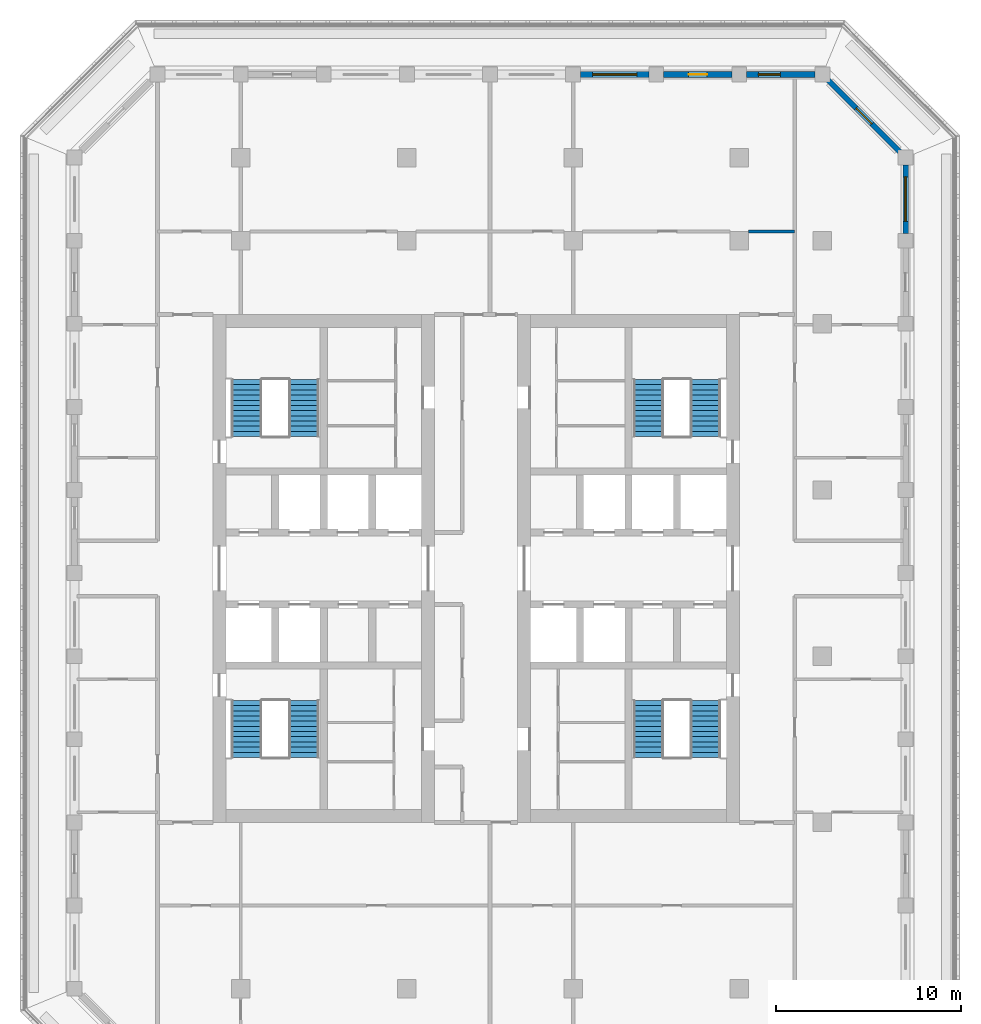
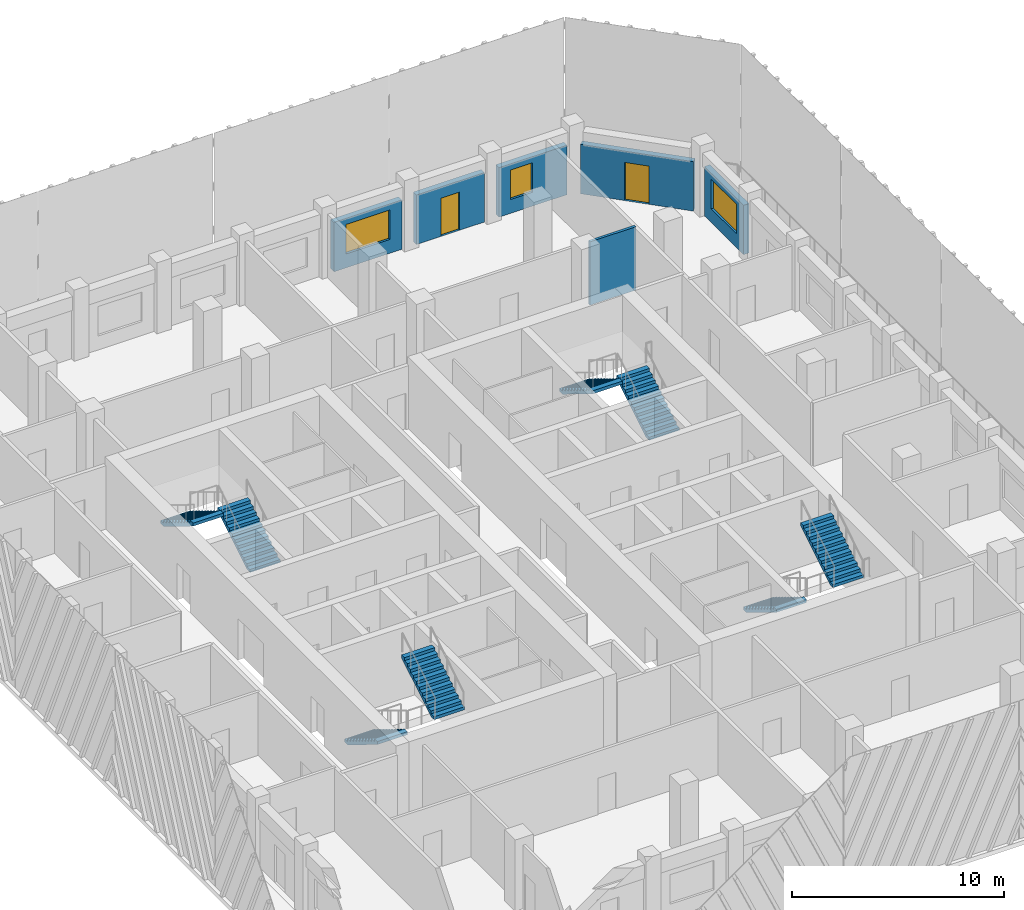
# One storey, part 8 of 17: 8 stair flights, 6 walls, 3 windows, 2 doors, 5 openings, 4 elements without a shape of their own.
"""IFC4 building model written with IfcOpenShell, lengths in metres."""

from ifc_helpers import new_model, si_unit, direction, frame, frame_2d, origin, place, context, subcontext, project, spatial, polyline, rectangle, outline, extrude, material, layer, layer_set, type_object, element, fill, aggregate, save


model = new_model("IFC4")

# Units and contexts
model_context = context("Model", 3, precision=1e-05, world=origin(), true_north=direction((0.0, 1.0)))
body_context = subcontext(model_context, "Body", "Model", "MODEL_VIEW")
ifc_project = project(units=[si_unit("LENGTHUNIT", "METRE"), si_unit("AREAUNIT", "SQUARE_METRE"), si_unit("VOLUMEUNIT", "CUBIC_METRE"), si_unit("PLANEANGLEUNIT", "RADIAN"), si_unit("MASSUNIT", "GRAM", prefix="KILO")], contexts=[model_context])

# Site, building, storey
site_placement = place(None, origin())
site = spatial("IfcSite", under=ifc_project, at=site_placement, CompositionType="ELEMENT")
building_placement = place(site_placement, origin())
building = spatial("IfcBuilding", under=site, at=building_placement, Name="Corbel Stack Research Tower", CompositionType="ELEMENT")
storey_placement = place(building_placement, frame((0.0, 0.0, 248.0)))
storey = spatial("IfcBuildingStorey", under=building, at=storey_placement, Name="L56", CompositionType="ELEMENT", Elevation=248.0)

# Wall
ifc_material_1 = material(Name="Gypsum board partition on steel studs", Category="steel")
ifc_layer_1 = layer(ifc_material_1, 0.14990234375)
ifc_layer_set_1 = layer_set([ifc_layer_1], Name="Gypsum board partition on steel studs")
wall_type_1 = type_object("IfcWallType", Name="Partition 150", PredefinedType="PARTITIONING", material=ifc_layer_set_1)
wall_1_placement = place(storey_placement, frame((18.5, 23.0, 0.0), z_axis=(0.0, 0.0, 1.0), x_axis=(1.0, 0.0, 0.0)))
element("IfcWall", 1, at=wall_1_placement, inside=storey, type_object=wall_type_1, Name="Partition L56-049", PredefinedType="PARTITIONING", context=body_context, shape_type="SweptSolid", body=[
    extrude(rectangle(XDim=2.5, YDim=0.14990234375, at=frame_2d((1.25, 0.0))), origin(), (0.0, 0.0, 1.0), 3.64990234375),
])

# Wall, opening, window
ifc_material_2 = material(Name="Concrete C45/55", Category="concrete")
ifc_layer_2 = layer(ifc_material_2, 0.300048828125)
ifc_layer_set_2 = layer_set([ifc_layer_2], Name="Concrete C45/55")
wall_type_2 = type_object("IfcWallType", Name="Terracotta-faced concrete wall 300", PredefinedType="SOLIDWALL", material=ifc_layer_set_2)
wall_2_placement = place(storey_placement, frame((27.0, 26.60009765625, 0.0), z_axis=(0.0, 0.0, 1.0), x_axis=(0.0, -1.0, 0.0)))
wall_2 = element("IfcWall", 2, at=wall_2_placement, inside=storey, type_object=wall_type_2, Name="Facade wall L56 E10", PredefinedType="SOLIDWALL", context=body_context, shape_type="SweptSolid", body=[
    extrude(rectangle(XDim=3.7001953125, YDim=0.300048828125, at=frame_2d((1.85009765625, 0.0))), origin(), (0.0, 0.0, 1.0), 2.85009765625),
])
opening_1_placement = place(wall_2_placement, frame((0.64990234375, 0.0, 0.800048828125)))
opening_1 = element("IfcOpeningElement", 3, at=opening_1_placement, cuts=wall_2, Name="Opening W1", PredefinedType="OPENING", context=body_context, shape_type="SweptSolid", body=[
    extrude(rectangle(XDim=2.39990234375, YDim=1.699951171875, at=frame_2d((1.199951171875, 0.85009765625))), frame((0.0, 0.159912109375, 0.0), z_axis=(0.0, -1.0, 0.0), x_axis=(1.0, 0.0, 0.0)), (0.0, 0.0, 1.0), 0.320068359375),
])
ifc_material_3 = material(Name="Aluminium frame, clear double glazing", Category="aluminium")
window_type_1 = type_object("IfcWindowType", Name="Window W1 2400 x 1700", PartitioningType="SINGLE_PANEL", PredefinedType="WINDOW", material=ifc_material_3)
window_1_placement = place(opening_1_placement, origin())
window_1 = element("IfcWindow", 4, at=window_1_placement, inside=storey, type_object=window_type_1, Name="Window W1 L56 E10", OverallHeight=1.699951171875, OverallWidth=2.39990234375, PartitioningType="SINGLE_PANEL", PredefinedType="WINDOW", context=body_context, shape_type="SweptSolid", body=[
    extrude(rectangle(XDim=2.39990234375, YDim=1.699951171875, at=frame_2d((1.199951171875, 0.85009765625))), frame((0.0, 0.030029296875, 0.0), z_axis=(0.0, -1.0, 0.0), x_axis=(1.0, 0.0, 0.0)), (0.0, 0.0, 1.0), 0.06005859375),
])
fill(opening_1, window_1)

# Wall, opening, door
wall_3_placement = place(storey_placement, frame((22.7939453125, 31.2060546875, 0.0), z_axis=(0.0, 0.0, 1.0), x_axis=(0.707106781187, -0.707106781187, 0.0)))
wall_3 = element("IfcWall", 5, at=wall_3_placement, inside=storey, type_object=wall_type_2, Name="Facade wall L56 NE01", PredefinedType="SOLIDWALL", context=body_context, shape_type="SweptSolid", body=[
    extrude(rectangle(XDim=5.532470703125, YDim=0.300048828125, at=frame_2d((2.76611328125, 0.0))), origin(), (0.0, 0.0, 1.0), 2.85009765625),
])
opening_2_placement = place(wall_3_placement, frame((2.166259765625, 0.0, 0.0)))
opening_2 = element("IfcOpeningElement", 6, at=opening_2_placement, cuts=wall_3, Name="Opening L56-B06", PredefinedType="OPENING", context=body_context, shape_type="SweptSolid", body=[
    extrude(rectangle(XDim=1.199951171875, YDim=2.199951171875, at=frame_2d((0.60009765625, 1.10009765625))), frame((0.0, 0.159912109375, 0.0), z_axis=(0.0, -1.0, 0.0), x_axis=(1.0, 0.0, 0.0)), (0.0, 0.0, 1.0), 0.320068359375),
])
ifc_material_4 = material(Name="Aluminium frame, clear double glazing", Category="aluminium")
door_type_1 = type_object("IfcDoorType", Name="Balcony door BD2 1200 x 2200", OperationType="NOTDEFINED", PredefinedType="DOOR", material=ifc_material_4)
door_1_placement = place(opening_2_placement, origin())
door_1 = element("IfcDoor", 7, at=door_1_placement, inside=storey, type_object=door_type_1, Name="Balcony door L56-B06", OperationType="SINGLE_SWING_LEFT", OverallHeight=2.199951171875, OverallWidth=1.199951171875, PredefinedType="DOOR", context=body_context, shape_type="SweptSolid", body=[
    extrude(rectangle(XDim=1.199951171875, YDim=2.199951171875, at=frame_2d((0.60009765625, 1.10009765625))), frame((0.0, 0.02490234375, 0.0), z_axis=(0.0, -1.0, 0.0), x_axis=(1.0, 0.0, 0.0)), (0.0, 0.0, 1.0), 0.050048828125),
])
fill(opening_2, door_1)

# Wall, opening, window
wall_4_placement = place(storey_placement, frame((18.39990234375, 31.5, 0.0), z_axis=(0.0, 0.0, 1.0), x_axis=(1.0, 0.0, 0.0)))
wall_4 = element("IfcWall", 8, at=wall_4_placement, inside=storey, type_object=wall_type_2, Name="Facade wall L56 N01", PredefinedType="SOLIDWALL", context=body_context, shape_type="SweptSolid", body=[
    extrude(rectangle(XDim=3.7001953125, YDim=0.300048828125, at=frame_2d((1.85009765625, 0.0))), origin(), (0.0, 0.0, 1.0), 2.85009765625),
])
opening_3_placement = place(wall_4_placement, frame((0.625, 0.0, 0.800048828125)))
opening_3 = element("IfcOpeningElement", 9, at=opening_3_placement, cuts=wall_4, Name="Opening W2", PredefinedType="OPENING", context=body_context, shape_type="SweptSolid", body=[
    extrude(rectangle(XDim=1.199951171875, YDim=1.699951171875, at=frame_2d((0.60009765625, 0.85009765625))), frame((0.0, 0.159912109375, 0.0), z_axis=(0.0, -1.0, 0.0), x_axis=(1.0, 0.0, 0.0)), (0.0, 0.0, 1.0), 0.320068359375),
])
ifc_material_5 = material(Name="Aluminium frame, clear double glazing", Category="aluminium")
window_type_2 = type_object("IfcWindowType", Name="Window W2 1200 x 1700", PartitioningType="SINGLE_PANEL", PredefinedType="WINDOW", material=ifc_material_5)
window_2_placement = place(opening_3_placement, origin())
window_2 = element("IfcWindow", 10, at=window_2_placement, inside=storey, type_object=window_type_2, Name="Window W2 L56 N01", OverallHeight=1.699951171875, OverallWidth=1.199951171875, PartitioningType="SINGLE_PANEL", PredefinedType="WINDOW", context=body_context, shape_type="SweptSolid", body=[
    extrude(rectangle(XDim=1.199951171875, YDim=1.699951171875, at=frame_2d((0.60009765625, 0.85009765625))), frame((0.0, 0.030029296875, 0.0), z_axis=(0.0, -1.0, 0.0), x_axis=(1.0, 0.0, 0.0)), (0.0, 0.0, 1.0), 0.06005859375),
])
fill(opening_3, window_2)

# Wall, opening, door
wall_5_placement = place(storey_placement, frame((13.89990234375, 31.5, 0.0), z_axis=(0.0, 0.0, 1.0), x_axis=(1.0, 0.0, 0.0)))
wall_5 = element("IfcWall", 11, at=wall_5_placement, inside=storey, type_object=wall_type_2, Name="Facade wall L56 N02", PredefinedType="SOLIDWALL", context=body_context, shape_type="SweptSolid", body=[
    extrude(rectangle(XDim=3.7001953125, YDim=0.300048828125, at=frame_2d((1.85009765625, 0.0))), origin(), (0.0, 0.0, 1.0), 2.85009765625),
])
opening_4_placement = place(wall_5_placement, frame((1.35009765625, 0.0, 0.0)))
opening_4 = element("IfcOpeningElement", 12, at=opening_4_placement, cuts=wall_5, Name="Opening L56-B07", PredefinedType="OPENING", context=body_context, shape_type="SweptSolid", body=[
    extrude(rectangle(XDim=1.0, YDim=2.199951171875, at=frame_2d((0.5, 1.10009765625))), frame((0.0, 0.159912109375, 0.0), z_axis=(0.0, -1.0, 0.0), x_axis=(1.0, 0.0, 0.0)), (0.0, 0.0, 1.0), 0.320068359375),
])
ifc_material_6 = material(Name="Aluminium frame, clear double glazing", Category="aluminium")
door_type_2 = type_object("IfcDoorType", Name="Balcony door BD1 1000 x 2200", OperationType="NOTDEFINED", PredefinedType="DOOR", material=ifc_material_6)
door_2_placement = place(opening_4_placement, origin())
door_2 = element("IfcDoor", 13, at=door_2_placement, inside=storey, type_object=door_type_2, Name="Balcony door L56-B07", OperationType="SINGLE_SWING_RIGHT", OverallHeight=2.199951171875, OverallWidth=1.0, PredefinedType="DOOR", context=body_context, shape_type="SweptSolid", body=[
    extrude(rectangle(XDim=1.0, YDim=2.199951171875, at=frame_2d((0.5, 1.10009765625))), frame((0.0, 0.02490234375, 0.0), z_axis=(0.0, -1.0, 0.0), x_axis=(1.0, 0.0, 0.0)), (0.0, 0.0, 1.0), 0.050048828125),
])
fill(opening_4, door_2)

# Wall, opening, window
wall_6_placement = place(storey_placement, frame((9.39990234375, 31.5, 0.0), z_axis=(0.0, 0.0, 1.0), x_axis=(1.0, 0.0, 0.0)))
wall_6 = element("IfcWall", 14, at=wall_6_placement, inside=storey, type_object=wall_type_2, Name="Facade wall L56 N03", PredefinedType="SOLIDWALL", context=body_context, shape_type="SweptSolid", body=[
    extrude(rectangle(XDim=3.7001953125, YDim=0.300048828125, at=frame_2d((1.85009765625, 0.0))), origin(), (0.0, 0.0, 1.0), 2.85009765625),
])
opening_5_placement = place(wall_6_placement, frame((0.64990234375, 0.0, 0.800048828125)))
opening_5 = element("IfcOpeningElement", 15, at=opening_5_placement, cuts=wall_6, Name="Opening W1", PredefinedType="OPENING", context=body_context, shape_type="SweptSolid", body=[
    extrude(rectangle(XDim=2.39990234375, YDim=1.699951171875, at=frame_2d((1.199951171875, 0.85009765625))), frame((0.0, 0.159912109375, 0.0), z_axis=(0.0, -1.0, 0.0), x_axis=(1.0, 0.0, 0.0)), (0.0, 0.0, 1.0), 0.320068359375),
])
window_3_placement = place(opening_5_placement, origin())
window_3 = element("IfcWindow", 16, at=window_3_placement, inside=storey, type_object=window_type_1, Name="Window W1 L56 N03", OverallHeight=1.699951171875, OverallWidth=2.39990234375, PartitioningType="SINGLE_PANEL", PredefinedType="WINDOW", context=body_context, shape_type="SweptSolid", body=[
    extrude(rectangle(XDim=2.39990234375, YDim=1.699951171875, at=frame_2d((1.199951171875, 0.85009765625))), frame((0.0, 0.030029296875, 0.0), z_axis=(0.0, -1.0, 0.0), x_axis=(1.0, 0.0, 0.0)), (0.0, 0.0, 1.0), 0.06005859375),
])
fill(opening_5, window_3)

# Stair, stair flights
ifc_material_7 = material(Name="Concrete C40/50", Category="concrete")
stair_type = type_object("IfcStairType", Name="Exit stair 24 risers", PredefinedType="HALF_TURN_STAIR", material=ifc_material_7)
stair_1_placement = place(storey_placement, origin())
stair_1 = element("IfcStair", 17, at=stair_1_placement, inside=storey, type_object=stair_type, Name="L56 Exit stair ST-W1", PredefinedType="HALF_TURN_STAIR")
ifc_material_8 = material(Name="Concrete C40/50", Category="concrete")
stair_flight_type = type_object("IfcStairFlightType", Name="Stair flight 12 risers", PredefinedType="STRAIGHT", material=ifc_material_8)
stair_flight_1_placement = place(storey_placement, frame((-8.675048828125, -2.39990234375, 0.0), z_axis=(0.0, 0.0, 1.0), x_axis=(0.0, -1.0, 0.0)))
stair_flight_1 = element("IfcStairFlight", 18, at=stair_flight_1_placement, type_object=stair_flight_type, Name="ST-W1 flight 1", NumberOfRisers=12, NumberOfTreads=11, PredefinedType="STRAIGHT", RiserHeight=0.170833333, TreadLength=0.28, context=body_context, shape_type="SweptSolid", body=[
    extrude(outline(polyline([(0.0, 0.0), (0.0, 0.1708984375), (0.280029296875, 0.1708984375), (0.280029296875, 0.341552734375), (0.56005859375, 0.341552734375), (0.56005859375, 0.512451171875), (0.840087890625, 0.512451171875), (0.840087890625, 0.683349609375), (1.1201171875, 0.683349609375), (1.1201171875, 0.854248046875), (1.39990234375, 0.854248046875), (1.39990234375, 1.02490234375), (1.679931640625, 1.02490234375), (1.679931640625, 1.19580078125), (1.9599609375, 1.19580078125), (1.9599609375, 1.36669921875), (2.239990234375, 1.36669921875), (2.239990234375, 1.53759765625), (2.52001953125, 1.53759765625), (2.52001953125, 1.708251953125), (2.800048828125, 1.708251953125), (2.800048828125, 1.879150390625), (3.080078125, 1.879150390625), (3.080078125, 2.050048828125), (3.080078125, 1.70361328125), (0.287841796875, 0.0), (0.0, 0.0)])), frame((0.0, 0.824951171875, 0.0), z_axis=(0.0, -1.0, 0.0), x_axis=(1.0, 0.0, 0.0)), (0.0, 0.0, 1.0), 1.64990234375),
])
stair_flight_2_placement = place(storey_placement, frame((-5.574951171875, -5.47998046875, 2.050048828125), z_axis=(0.0, 0.0, 1.0), x_axis=(0.0, 1.0, 0.0)))
stair_flight_2 = element("IfcStairFlight", 19, at=stair_flight_2_placement, type_object=stair_flight_type, Name="ST-W1 flight 2", NumberOfRisers=12, NumberOfTreads=11, PredefinedType="STRAIGHT", RiserHeight=0.170833333, TreadLength=0.28, context=body_context, shape_type="SweptSolid", body=[
    extrude(outline(polyline([(0.0, 0.0), (0.0, 0.1708984375), (0.280029296875, 0.1708984375), (0.280029296875, 0.341552734375), (0.56005859375, 0.341552734375), (0.56005859375, 0.512451171875), (0.840087890625, 0.512451171875), (0.840087890625, 0.683349609375), (1.1201171875, 0.683349609375), (1.1201171875, 0.854248046875), (1.39990234375, 0.854248046875), (1.39990234375, 1.02490234375), (1.679931640625, 1.02490234375), (1.679931640625, 1.19580078125), (1.9599609375, 1.19580078125), (1.9599609375, 1.36669921875), (2.239990234375, 1.36669921875), (2.239990234375, 1.53759765625), (2.52001953125, 1.53759765625), (2.52001953125, 1.708251953125), (2.800048828125, 1.708251953125), (2.800048828125, 1.879150390625), (3.080078125, 1.879150390625), (3.080078125, 2.050048828125), (3.080078125, 1.70361328125), (0.287841796875, 0.0), (0.0, 0.0)])), frame((0.0, 0.824951171875, 0.0), z_axis=(0.0, -1.0, 0.0), x_axis=(1.0, 0.0, 0.0)), (0.0, 0.0, 1.0), 1.64990234375),
])
aggregate(stair_1, [stair_flight_1, stair_flight_2])

stair_2_placement = place(storey_placement, origin())
stair_2 = element("IfcStair", 20, at=stair_2_placement, inside=storey, type_object=stair_type, Name="L56 Exit stair ST-W2", PredefinedType="HALF_TURN_STAIR")
stair_flight_3_placement = place(storey_placement, frame((-5.574951171875, 11.89990234375, 0.0), z_axis=(0.0, 0.0, 1.0), x_axis=(0.0, 1.0, 0.0)))
stair_flight_3 = element("IfcStairFlight", 21, at=stair_flight_3_placement, type_object=stair_flight_type, Name="ST-W2 flight 1", NumberOfRisers=12, NumberOfTreads=11, PredefinedType="STRAIGHT", RiserHeight=0.170833333, TreadLength=0.28, context=body_context, shape_type="SweptSolid", body=[
    extrude(outline(polyline([(0.0, 0.0), (0.0, 0.1708984375), (0.280029296875, 0.1708984375), (0.280029296875, 0.341552734375), (0.56005859375, 0.341552734375), (0.56005859375, 0.512451171875), (0.840087890625, 0.512451171875), (0.840087890625, 0.683349609375), (1.1201171875, 0.683349609375), (1.1201171875, 0.854248046875), (1.39990234375, 0.854248046875), (1.39990234375, 1.02490234375), (1.679931640625, 1.02490234375), (1.679931640625, 1.19580078125), (1.9599609375, 1.19580078125), (1.9599609375, 1.36669921875), (2.239990234375, 1.36669921875), (2.239990234375, 1.53759765625), (2.52001953125, 1.53759765625), (2.52001953125, 1.708251953125), (2.800048828125, 1.708251953125), (2.800048828125, 1.879150390625), (3.080078125, 1.879150390625), (3.080078125, 2.050048828125), (3.080078125, 1.70361328125), (0.287841796875, 0.0), (0.0, 0.0)])), frame((0.0, 0.824951171875, 0.0), z_axis=(0.0, -1.0, 0.0), x_axis=(1.0, 0.0, 0.0)), (0.0, 0.0, 1.0), 1.64990234375),
])
stair_flight_4_placement = place(storey_placement, frame((-8.675048828125, 14.97998046875, 2.050048828125), z_axis=(0.0, 0.0, 1.0), x_axis=(0.0, -1.0, 0.0)))
stair_flight_4 = element("IfcStairFlight", 22, at=stair_flight_4_placement, type_object=stair_flight_type, Name="ST-W2 flight 2", NumberOfRisers=12, NumberOfTreads=11, PredefinedType="STRAIGHT", RiserHeight=0.170833333, TreadLength=0.28, context=body_context, shape_type="SweptSolid", body=[
    extrude(outline(polyline([(0.0, 0.0), (0.0, 0.1708984375), (0.280029296875, 0.1708984375), (0.280029296875, 0.341552734375), (0.56005859375, 0.341552734375), (0.56005859375, 0.512451171875), (0.840087890625, 0.512451171875), (0.840087890625, 0.683349609375), (1.1201171875, 0.683349609375), (1.1201171875, 0.854248046875), (1.39990234375, 0.854248046875), (1.39990234375, 1.02490234375), (1.679931640625, 1.02490234375), (1.679931640625, 1.19580078125), (1.9599609375, 1.19580078125), (1.9599609375, 1.36669921875), (2.239990234375, 1.36669921875), (2.239990234375, 1.53759765625), (2.52001953125, 1.53759765625), (2.52001953125, 1.708251953125), (2.800048828125, 1.708251953125), (2.800048828125, 1.879150390625), (3.080078125, 1.879150390625), (3.080078125, 2.050048828125), (3.080078125, 1.70361328125), (0.287841796875, 0.0), (0.0, 0.0)])), frame((0.0, 0.824951171875, 0.0), z_axis=(0.0, -1.0, 0.0), x_axis=(1.0, 0.0, 0.0)), (0.0, 0.0, 1.0), 1.64990234375),
])
aggregate(stair_2, [stair_flight_3, stair_flight_4])

stair_3_placement = place(storey_placement, origin())
stair_3 = element("IfcStair", 23, at=stair_3_placement, inside=storey, type_object=stair_type, Name="L56 Exit stair ST-E1", PredefinedType="HALF_TURN_STAIR")
stair_flight_5_placement = place(storey_placement, frame((13.074951171875, -2.39990234375, 0.0), z_axis=(0.0, 0.0, 1.0), x_axis=(0.0, -1.0, 0.0)))
stair_flight_5 = element("IfcStairFlight", 24, at=stair_flight_5_placement, type_object=stair_flight_type, Name="ST-E1 flight 1", NumberOfRisers=12, NumberOfTreads=11, PredefinedType="STRAIGHT", RiserHeight=0.170833333, TreadLength=0.28, context=body_context, shape_type="SweptSolid", body=[
    extrude(outline(polyline([(0.0, 0.0), (0.0, 0.1708984375), (0.280029296875, 0.1708984375), (0.280029296875, 0.341552734375), (0.56005859375, 0.341552734375), (0.56005859375, 0.512451171875), (0.840087890625, 0.512451171875), (0.840087890625, 0.683349609375), (1.1201171875, 0.683349609375), (1.1201171875, 0.854248046875), (1.39990234375, 0.854248046875), (1.39990234375, 1.02490234375), (1.679931640625, 1.02490234375), (1.679931640625, 1.19580078125), (1.9599609375, 1.19580078125), (1.9599609375, 1.36669921875), (2.239990234375, 1.36669921875), (2.239990234375, 1.53759765625), (2.52001953125, 1.53759765625), (2.52001953125, 1.708251953125), (2.800048828125, 1.708251953125), (2.800048828125, 1.879150390625), (3.080078125, 1.879150390625), (3.080078125, 2.050048828125), (3.080078125, 1.70361328125), (0.287841796875, 0.0), (0.0, 0.0)])), frame((0.0, 0.824951171875, 0.0), z_axis=(0.0, -1.0, 0.0), x_axis=(1.0, 0.0, 0.0)), (0.0, 0.0, 1.0), 1.64990234375),
])
stair_flight_6_placement = place(storey_placement, frame((16.175048828125, -5.47998046875, 2.050048828125), z_axis=(0.0, 0.0, 1.0), x_axis=(0.0, 1.0, 0.0)))
stair_flight_6 = element("IfcStairFlight", 25, at=stair_flight_6_placement, type_object=stair_flight_type, Name="ST-E1 flight 2", NumberOfRisers=12, NumberOfTreads=11, PredefinedType="STRAIGHT", RiserHeight=0.170833333, TreadLength=0.28, context=body_context, shape_type="SweptSolid", body=[
    extrude(outline(polyline([(0.0, 0.0), (0.0, 0.1708984375), (0.280029296875, 0.1708984375), (0.280029296875, 0.341552734375), (0.56005859375, 0.341552734375), (0.56005859375, 0.512451171875), (0.840087890625, 0.512451171875), (0.840087890625, 0.683349609375), (1.1201171875, 0.683349609375), (1.1201171875, 0.854248046875), (1.39990234375, 0.854248046875), (1.39990234375, 1.02490234375), (1.679931640625, 1.02490234375), (1.679931640625, 1.19580078125), (1.9599609375, 1.19580078125), (1.9599609375, 1.36669921875), (2.239990234375, 1.36669921875), (2.239990234375, 1.53759765625), (2.52001953125, 1.53759765625), (2.52001953125, 1.708251953125), (2.800048828125, 1.708251953125), (2.800048828125, 1.879150390625), (3.080078125, 1.879150390625), (3.080078125, 2.050048828125), (3.080078125, 1.70361328125), (0.287841796875, 0.0), (0.0, 0.0)])), frame((0.0, 0.824951171875, 0.0), z_axis=(0.0, -1.0, 0.0), x_axis=(1.0, 0.0, 0.0)), (0.0, 0.0, 1.0), 1.64990234375),
])
aggregate(stair_3, [stair_flight_5, stair_flight_6])

stair_4_placement = place(storey_placement, origin())
stair_4 = element("IfcStair", 26, at=stair_4_placement, inside=storey, type_object=stair_type, Name="L56 Exit stair ST-E2", PredefinedType="HALF_TURN_STAIR")
stair_flight_7_placement = place(storey_placement, frame((16.175048828125, 11.89990234375, 0.0), z_axis=(0.0, 0.0, 1.0), x_axis=(0.0, 1.0, 0.0)))
stair_flight_7 = element("IfcStairFlight", 27, at=stair_flight_7_placement, type_object=stair_flight_type, Name="ST-E2 flight 1", NumberOfRisers=12, NumberOfTreads=11, PredefinedType="STRAIGHT", RiserHeight=0.170833333, TreadLength=0.28, context=body_context, shape_type="SweptSolid", body=[
    extrude(outline(polyline([(0.0, 0.0), (0.0, 0.1708984375), (0.280029296875, 0.1708984375), (0.280029296875, 0.341552734375), (0.56005859375, 0.341552734375), (0.56005859375, 0.512451171875), (0.840087890625, 0.512451171875), (0.840087890625, 0.683349609375), (1.1201171875, 0.683349609375), (1.1201171875, 0.854248046875), (1.39990234375, 0.854248046875), (1.39990234375, 1.02490234375), (1.679931640625, 1.02490234375), (1.679931640625, 1.19580078125), (1.9599609375, 1.19580078125), (1.9599609375, 1.36669921875), (2.239990234375, 1.36669921875), (2.239990234375, 1.53759765625), (2.52001953125, 1.53759765625), (2.52001953125, 1.708251953125), (2.800048828125, 1.708251953125), (2.800048828125, 1.879150390625), (3.080078125, 1.879150390625), (3.080078125, 2.050048828125), (3.080078125, 1.70361328125), (0.287841796875, 0.0), (0.0, 0.0)])), frame((0.0, 0.824951171875, 0.0), z_axis=(0.0, -1.0, 0.0), x_axis=(1.0, 0.0, 0.0)), (0.0, 0.0, 1.0), 1.64990234375),
])
stair_flight_8_placement = place(storey_placement, frame((13.074951171875, 14.97998046875, 2.050048828125), z_axis=(0.0, 0.0, 1.0), x_axis=(0.0, -1.0, 0.0)))
stair_flight_8 = element("IfcStairFlight", 28, at=stair_flight_8_placement, type_object=stair_flight_type, Name="ST-E2 flight 2", NumberOfRisers=12, NumberOfTreads=11, PredefinedType="STRAIGHT", RiserHeight=0.170833333, TreadLength=0.28, context=body_context, shape_type="SweptSolid", body=[
    extrude(outline(polyline([(0.0, 0.0), (0.0, 0.1708984375), (0.280029296875, 0.1708984375), (0.280029296875, 0.341552734375), (0.56005859375, 0.341552734375), (0.56005859375, 0.512451171875), (0.840087890625, 0.512451171875), (0.840087890625, 0.683349609375), (1.1201171875, 0.683349609375), (1.1201171875, 0.854248046875), (1.39990234375, 0.854248046875), (1.39990234375, 1.02490234375), (1.679931640625, 1.02490234375), (1.679931640625, 1.19580078125), (1.9599609375, 1.19580078125), (1.9599609375, 1.36669921875), (2.239990234375, 1.36669921875), (2.239990234375, 1.53759765625), (2.52001953125, 1.53759765625), (2.52001953125, 1.708251953125), (2.800048828125, 1.708251953125), (2.800048828125, 1.879150390625), (3.080078125, 1.879150390625), (3.080078125, 2.050048828125), (3.080078125, 1.70361328125), (0.287841796875, 0.0), (0.0, 0.0)])), frame((0.0, 0.824951171875, 0.0), z_axis=(0.0, -1.0, 0.0), x_axis=(1.0, 0.0, 0.0)), (0.0, 0.0, 1.0), 1.64990234375),
])
aggregate(stair_4, [stair_flight_7, stair_flight_8])

save(model, "model.ifc")
